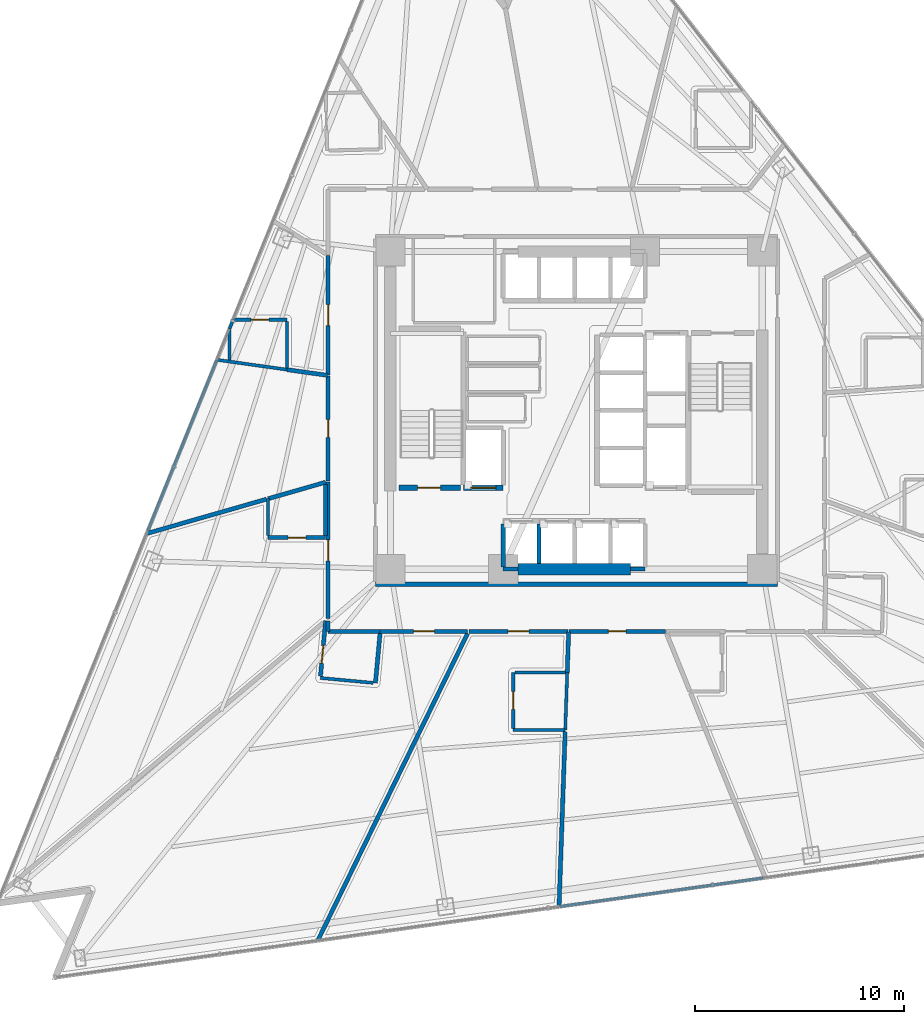
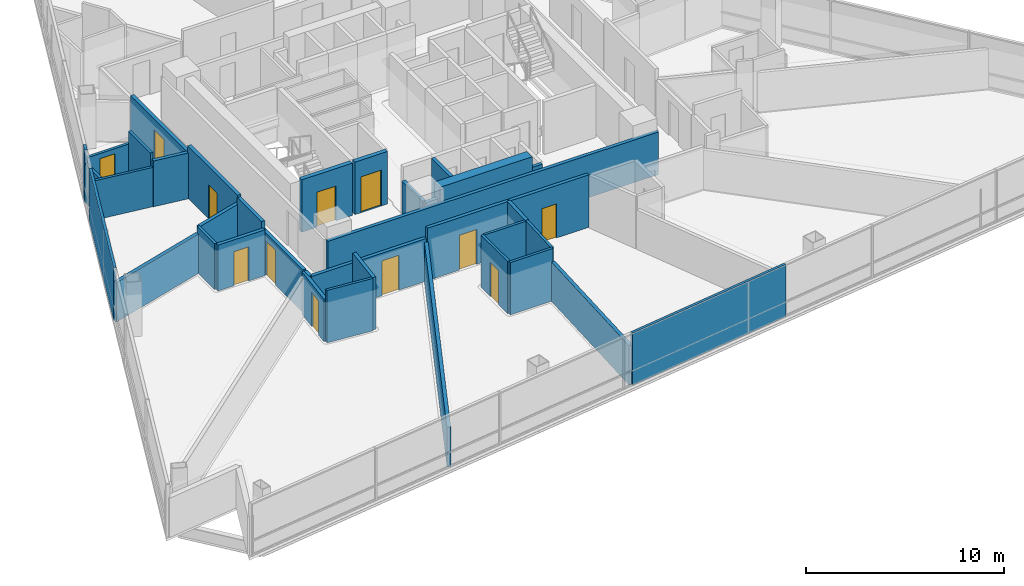
# One storey, part 7 of 15: 39 walls, 12 doors, 12 openings.
"""IFC4 building model written with IfcOpenShell, lengths in metres."""

from ifc_helpers import new_model, si_unit, direction, frame, frame_2d, origin, place, context, subcontext, project, spatial, rectangle, extrude, material, layer, layer_set, type_object, element, fill, save


model = new_model("IFC4")

# Units and contexts
model_context = context("Model", 3, precision=1e-05, world=origin(), true_north=direction((0.0, 1.0)))
body_context = subcontext(model_context, "Body", "Model", "MODEL_VIEW")
ifc_project = project(units=[si_unit("LENGTHUNIT", "METRE"), si_unit("AREAUNIT", "SQUARE_METRE"), si_unit("VOLUMEUNIT", "CUBIC_METRE"), si_unit("PLANEANGLEUNIT", "RADIAN"), si_unit("MASSUNIT", "GRAM", prefix="KILO")], contexts=[model_context])

# Site, building, storey
site_placement = place(None, origin())
site = spatial("IfcSite", under=ifc_project, at=site_placement, CompositionType="ELEMENT")
building_placement = place(site_placement, origin())
building = spatial("IfcBuilding", under=site, at=building_placement, Name="Tharavind Bronze Gate", CompositionType="ELEMENT")
storey_placement = place(building_placement, frame((0.0, 0.0, 60.449951171875)))
storey = spatial("IfcBuildingStorey", under=building, at=storey_placement, Name="L14", CompositionType="ELEMENT", Elevation=60.449951171875)

# Wall
ifc_material_1 = material(Name="Aerated Concrete Block", Category="concrete")
ifc_layer_1 = layer(ifc_material_1, 0.199951171875)
ifc_layer_set_1 = layer_set([ifc_layer_1], Name="Aerated Concrete Block")
wall_type_1 = type_object("IfcWallType", Name="FIRE RATED PARTITION 200", PredefinedType="PARTITIONING", material=ifc_layer_set_1)
wall_1_placement = place(storey_placement, frame((-9.6201171875, -8.320068359375, 0.0), z_axis=(0.0, 0.0, 1.0), x_axis=(1.0, 0.0, 0.0)))
element("IfcWall", 1, at=wall_1_placement, inside=storey, type_object=wall_type_1, Name="L14 south core corridor wall", PredefinedType="PARTITIONING", context=body_context, shape_type="SweptSolid", body=[
    extrude(rectangle(XDim=19.240234375, YDim=0.199951171875, at=frame_2d((9.6201171875, 0.0))), origin(), (0.0, 0.0, 1.0), 2.6201171875),
])

# Wall, opening, door
wall_2_placement = place(storey_placement, frame((-12.0, -6.0908203125, 0.0), z_axis=(0.0, 0.0, 1.0), x_axis=(-1.0, 0.0, 0.0)))
wall_2 = element("IfcWall", 2, at=wall_2_placement, inside=storey, type_object=wall_type_1, Name="L14 En-Suite Bathroom partition", PredefinedType="PARTITIONING", context=body_context, shape_type="SweptSolid", body=[
    extrude(rectangle(XDim=2.75, YDim=0.199951171875, at=frame_2d((1.375, 0.0))), origin(), (0.0, 0.0, 1.0), 2.820068359375),
])
opening_1_placement = place(wall_2_placement, frame((0.949951171875, 0.0, 0.0)))
opening_1 = element("IfcOpeningElement", 3, at=opening_1_placement, cuts=wall_2, Name="Opening ID06", PredefinedType="OPENING", context=body_context, shape_type="SweptSolid", body=[
    extrude(rectangle(XDim=0.85009765625, YDim=2.10009765625, at=frame_2d((0.425048828125, 1.050048828125))), frame((0.0, 0.11009765625, 0.0), z_axis=(0.0, -1.0, 0.0), x_axis=(1.0, 0.0, 0.0)), (0.0, 0.0, 1.0), 0.219951171875),
])
ifc_material_2 = material(Name="Moisture-Resistant Timber", Category="wood")
door_type_1 = type_object("IfcDoorType", Name="BATHROOM PRIVACY DOOR 850X2100", OperationType="SINGLE_SWING_RIGHT", PredefinedType="DOOR", material=ifc_material_2)
door_1_placement = place(opening_1_placement, origin())
door_1 = element("IfcDoor", 4, at=door_1_placement, inside=storey, type_object=door_type_1, Name="L14 En-Suite Bathroom door", OperationType="SINGLE_SWING_RIGHT", OverallHeight=2.10009765625, OverallWidth=0.85009765625, PredefinedType="DOOR", context=body_context, shape_type="SweptSolid", body=[
    extrude(rectangle(XDim=0.85009765625, YDim=2.10009765625, at=frame_2d((0.425048828125, 1.050048828125))), frame((0.0, 0.02490234375, 0.0), z_axis=(0.0, -1.0, 0.0), x_axis=(1.0, 0.0, 0.0)), (0.0, 0.0, 1.0), 0.050048828125),
])
fill(opening_1, door_1)

# Walls
wall_3_placement = place(storey_placement, frame((-14.75, -4.2294921875, 0.0), z_axis=(0.0, 0.0, 1.0), x_axis=(0.961259435334, 0.275645239358, 0.0)))
element("IfcWall", 5, at=wall_3_placement, inside=storey, type_object=wall_type_1, Name="L14 En-Suite Bathroom partition", PredefinedType="PARTITIONING", context=body_context, shape_type="SweptSolid", body=[
    extrude(rectangle(XDim=2.86083984375, YDim=0.199951171875, at=frame_2d((1.430419921875, 0.0))), origin(), (0.0, 0.0, 1.0), 2.820068359375),
])
wall_4_placement = place(storey_placement, frame((-12.0, -3.550048828125, 0.0), z_axis=(0.0, 0.0, 1.0), x_axis=(0.0, -1.0, 0.0)))
element("IfcWall", 6, at=wall_4_placement, inside=storey, type_object=wall_type_1, Name="L14 En-Suite Bathroom partition", PredefinedType="PARTITIONING", context=body_context, shape_type="SweptSolid", body=[
    extrude(rectangle(XDim=2.435791015625, YDim=0.199951171875, at=frame_2d((1.2177734375, 0.0))), origin(), (0.0, 0.0, 1.0), 3.22509765625),
])
wall_5_placement = place(storey_placement, frame((-11.8798828125, -10.080322265625, 0.0), z_axis=(0.0, 0.0, 1.0), x_axis=(0.0, -1.0, 0.0)))
element("IfcWall", 7, at=wall_5_placement, inside=storey, type_object=wall_type_1, Name="L14 En-Suite Bathroom partition", PredefinedType="PARTITIONING", context=body_context, shape_type="SweptSolid", body=[
    extrude(rectangle(XDim=0.4990234375, YDim=0.199951171875, at=frame_2d((0.24951171875, 0.0))), origin(), (0.0, 0.0, 1.0), 2.6201171875),
])
wall_6_placement = place(storey_placement, frame((-11.87939453125, -10.580078125, 0.0), z_axis=(0.0, 0.0, 1.0), x_axis=(1.0, 0.0, 0.0)))
element("IfcWall", 8, at=wall_6_placement, inside=storey, type_object=wall_type_1, Name="L14 En-Suite Bathroom partition", PredefinedType="PARTITIONING", context=body_context, shape_type="SweptSolid", body=[
    extrude(rectangle(XDim=2.493408203125, YDim=0.199951171875, at=frame_2d((1.24658203125, 0.0))), origin(), (0.0, 0.0, 1.0), 2.6201171875),
])
wall_7_placement = place(storey_placement, frame((-9.39599609375, -10.68505859375, 0.0), z_axis=(0.0, 0.0, 1.0), x_axis=(-0.092609165651, -0.995702537125, 0.0)))
element("IfcWall", 9, at=wall_7_placement, inside=storey, type_object=wall_type_1, Name="L14 En-Suite Bathroom partition", PredefinedType="PARTITIONING", context=body_context, shape_type="SweptSolid", body=[
    extrude(rectangle(XDim=2.3779296875, YDim=0.199951171875, at=frame_2d((1.18896484375, 0.0))), origin(), (0.0, 0.0, 1.0), 3.22509765625),
])

# Wall, opening, door
wall_8_placement = place(storey_placement, frame((-12.247314453125, -12.727783203125, 0.0), z_axis=(0.0, 0.0, 1.0), x_axis=(0.092621260831, 0.995701412092, 0.0)))
wall_8 = element("IfcWall", 10, at=wall_8_placement, inside=storey, type_object=wall_type_1, Name="L14 En-Suite Bathroom partition", PredefinedType="PARTITIONING", context=body_context, shape_type="SweptSolid", body=[
    extrude(rectangle(XDim=2.670166015625, YDim=0.199951171875, at=frame_2d((1.3349609375, 0.0))), origin(), (0.0, 0.0, 1.0), 2.6201171875),
])
opening_2_placement = place(wall_8_placement, frame((0.6298828125, 0.0, 0.0)))
opening_2 = element("IfcOpeningElement", 11, at=opening_2_placement, cuts=wall_8, Name="Opening ID06", PredefinedType="OPENING", context=body_context, shape_type="SweptSolid", body=[
    extrude(rectangle(XDim=0.85009765625, YDim=2.10009765625, at=frame_2d((0.425048828125, 1.050048828125))), frame((0.0, 0.11009765625, 0.0), z_axis=(0.0, -1.0, 0.0), x_axis=(1.0, 0.0, 0.0)), (0.0, 0.0, 1.0), 0.219951171875),
])
door_2_placement = place(opening_2_placement, origin())
door_2 = element("IfcDoor", 12, at=door_2_placement, inside=storey, type_object=door_type_1, Name="L14 En-Suite Bathroom door", OperationType="SINGLE_SWING_RIGHT", OverallHeight=2.10009765625, OverallWidth=0.85009765625, PredefinedType="DOOR", context=body_context, shape_type="SweptSolid", body=[
    extrude(rectangle(XDim=0.85009765625, YDim=2.10009765625, at=frame_2d((0.425048828125, 1.050048828125))), frame((0.0, 0.02490234375, 0.0), z_axis=(0.0, -1.0, 0.0), x_axis=(1.0, 0.0, 0.0)), (0.0, 0.0, 1.0), 0.050048828125),
])
fill(opening_2, door_2)

# Wall
wall_9_placement = place(storey_placement, frame((-13.85009765625, 1.946533203125, 0.0), z_axis=(0.0, 0.0, 1.0), x_axis=(0.990262192263, -0.139214907871, 0.0)))
element("IfcWall", 13, at=wall_9_placement, inside=storey, type_object=wall_type_1, Name="L14 Public Restrooms Block partition", PredefinedType="PARTITIONING", context=body_context, shape_type="SweptSolid", body=[
    extrude(rectangle(XDim=1.967529296875, YDim=0.199951171875, at=frame_2d((0.98388671875, 0.0))), origin(), (0.0, 0.0, 1.0), 2.820068359375),
])

# Wall, opening, door
wall_10_placement = place(storey_placement, frame((-11.8798828125, 1.64794921875, 0.0), z_axis=(0.0, 0.0, 1.0), x_axis=(0.0, -1.0, 0.0)))
wall_10 = element("IfcWall", 14, at=wall_10_placement, inside=storey, type_object=wall_type_1, Name="L14 Public Restrooms Block partition", PredefinedType="PARTITIONING", context=body_context, shape_type="SweptSolid", body=[
    extrude(rectangle(XDim=5.03564453125, YDim=0.199951171875, at=frame_2d((2.517822265625, 0.0))), origin(), (0.0, 0.0, 1.0), 3.22509765625),
])
opening_3_placement = place(wall_10_placement, frame((2.093017578125, 0.0, 0.0)))
opening_3 = element("IfcOpeningElement", 15, at=opening_3_placement, cuts=wall_10, Name="Opening ID06", PredefinedType="OPENING", context=body_context, shape_type="SweptSolid", body=[
    extrude(rectangle(XDim=0.85009765625, YDim=2.10009765625, at=frame_2d((0.425048828125, 1.050048828125))), frame((0.0, 0.11009765625, 0.0), z_axis=(0.0, -1.0, 0.0), x_axis=(1.0, 0.0, 0.0)), (0.0, 0.0, 1.0), 0.219951171875),
])
door_3_placement = place(opening_3_placement, origin())
door_3 = element("IfcDoor", 16, at=door_3_placement, inside=storey, type_object=door_type_1, Name="L14 Public Restrooms Block door", OperationType="SINGLE_SWING_RIGHT", OverallHeight=2.10009765625, OverallWidth=0.85009765625, PredefinedType="DOOR", context=body_context, shape_type="SweptSolid", body=[
    extrude(rectangle(XDim=0.85009765625, YDim=2.10009765625, at=frame_2d((0.425048828125, 1.050048828125))), frame((0.0, 0.02490234375, 0.0), z_axis=(0.0, -1.0, 0.0), x_axis=(1.0, 0.0, 0.0)), (0.0, 0.0, 1.0), 0.050048828125),
])
fill(opening_3, door_3)

# Walls
wall_11_placement = place(storey_placement, frame((-14.830078125, -4.25244140625, 0.0), z_axis=(0.0, 0.0, 1.0), x_axis=(-0.961263721078, -0.275630293216, 0.0)))
element("IfcWall", 17, at=wall_11_placement, inside=storey, type_object=wall_type_1, Name="L14 Public Restrooms Block partition", PredefinedType="PARTITIONING", context=body_context, shape_type="SweptSolid", body=[
    extrude(rectangle(XDim=5.95751953125, YDim=0.199951171875, at=frame_2d((2.978759765625, 0.0))), origin(), (0.0, 0.0, 1.0), 2.420166015625),
])
wall_12_placement = place(storey_placement, frame((-0.828369140625, -23.72021484375, 0.0), z_axis=(0.0, 0.0, 1.0), x_axis=(0.034900568233, 0.9993907896, 0.0)))
element("IfcWall", 18, at=wall_12_placement, inside=storey, type_object=wall_type_1, Name="L14 Public Restrooms Block partition", PredefinedType="PARTITIONING", context=body_context, shape_type="SweptSolid", body=[
    extrude(rectangle(XDim=8.345458984375, YDim=0.199951171875, at=frame_2d((4.1728515625, 0.0))), origin(), (0.0, 0.0, 1.0), 2.420166015625),
])
wall_13_placement = place(storey_placement, frame((-0.438232421875, -12.550048828125, 0.0), z_axis=(0.0, 0.0, 1.0), x_axis=(0.034855235143, 0.999392371685, 0.0)))
element("IfcWall", 19, at=wall_13_placement, inside=storey, type_object=wall_type_1, Name="L14 Public Restrooms Block partition", PredefinedType="PARTITIONING", context=body_context, shape_type="SweptSolid", body=[
    extrude(rectangle(XDim=1.947265625, YDim=0.199951171875, at=frame_2d((0.9736328125, 0.0))), origin(), (0.0, 0.0, 1.0), 3.22509765625),
])

# Wall, opening, door
wall_14_placement = place(storey_placement, frame((-0.34521484375, -10.580078125, 0.0), z_axis=(0.0, 0.0, 1.0), x_axis=(1.0, 0.0, 0.0)))
wall_14 = element("IfcWall", 20, at=wall_14_placement, inside=storey, type_object=wall_type_1, Name="L14 Public Restrooms Block partition", PredefinedType="PARTITIONING", context=body_context, shape_type="SweptSolid", body=[
    extrude(rectangle(XDim=4.60302734375, YDim=0.199951171875, at=frame_2d((2.301513671875, 0.0))), origin(), (0.0, 0.0, 1.0), 3.22509765625),
])
opening_4_placement = place(wall_14_placement, frame((1.8759765625, 0.0, 0.0)))
opening_4 = element("IfcOpeningElement", 21, at=opening_4_placement, cuts=wall_14, Name="Opening ID06", PredefinedType="OPENING", context=body_context, shape_type="SweptSolid", body=[
    extrude(rectangle(XDim=0.85009765625, YDim=2.10009765625, at=frame_2d((0.425048828125, 1.050048828125))), frame((0.0, 0.11009765625, 0.0), z_axis=(0.0, -1.0, 0.0), x_axis=(1.0, 0.0, 0.0)), (0.0, 0.0, 1.0), 0.219951171875),
])
door_4_placement = place(opening_4_placement, origin())
door_4 = element("IfcDoor", 22, at=door_4_placement, inside=storey, type_object=door_type_1, Name="L14 Public Restrooms Block door", OperationType="SINGLE_SWING_RIGHT", OverallHeight=2.10009765625, OverallWidth=0.85009765625, PredefinedType="DOOR", context=body_context, shape_type="SweptSolid", body=[
    extrude(rectangle(XDim=0.85009765625, YDim=2.10009765625, at=frame_2d((0.425048828125, 1.050048828125))), frame((0.0, 0.02490234375, 0.0), z_axis=(0.0, -1.0, 0.0), x_axis=(1.0, 0.0, 0.0)), (0.0, 0.0, 1.0), 0.050048828125),
])
fill(opening_4, door_4)

wall_15_placement = place(storey_placement, frame((-11.8798828125, 7.40966796875, 0.0), z_axis=(0.0, 0.0, 1.0), x_axis=(0.0, -1.0, 0.0)))
wall_15 = element("IfcWall", 23, at=wall_15_placement, inside=storey, type_object=wall_type_1, Name="L14 Hotel Deluxe Room partition", PredefinedType="PARTITIONING", context=body_context, shape_type="SweptSolid", body=[
    extrude(rectangle(XDim=5.711181640625, YDim=0.199951171875, at=frame_2d((2.85546875, 0.0))), origin(), (0.0, 0.0, 1.0), 2.820068359375),
])
opening_5_placement = place(wall_15_placement, frame((2.35595703125, 0.0, 0.0)))
opening_5 = element("IfcOpeningElement", 24, at=opening_5_placement, cuts=wall_15, Name="Opening ID03", PredefinedType="OPENING", context=body_context, shape_type="SweptSolid", body=[
    extrude(rectangle(XDim=1.0, YDim=2.14990234375, at=frame_2d((0.5, 1.074951171875))), frame((0.0, 0.11009765625, 0.0), z_axis=(0.0, -1.0, 0.0), x_axis=(1.0, 0.0, 0.0)), (0.0, 0.0, 1.0), 0.219951171875),
])
ifc_material_3 = material(Name="Solid Timber Veneer", Category="wood")
door_type_2 = type_object("IfcDoorType", Name="HOTEL SUITE ENTRANCE DOOR 1000X2150", OperationType="SINGLE_SWING_LEFT", PredefinedType="DOOR", material=ifc_material_3)
door_5_placement = place(opening_5_placement, origin())
door_5 = element("IfcDoor", 25, at=door_5_placement, inside=storey, type_object=door_type_2, Name="L14 Hotel Deluxe Room door", OperationType="SINGLE_SWING_LEFT", OverallHeight=2.14990234375, OverallWidth=1.0, PredefinedType="DOOR", context=body_context, shape_type="SweptSolid", body=[
    extrude(rectangle(XDim=1.0, YDim=2.14990234375, at=frame_2d((0.5, 1.074951171875))), frame((0.0, 0.02490234375, 0.0), z_axis=(0.0, -1.0, 0.0), x_axis=(1.0, 0.0, 0.0)), (0.0, 0.0, 1.0), 0.050048828125),
])
fill(opening_5, door_5)

wall_16_placement = place(storey_placement, frame((-11.8798828125, -3.439697265625, 0.0), z_axis=(0.0, 0.0, 1.0), x_axis=(0.0, -1.0, 0.0)))
wall_16 = element("IfcWall", 26, at=wall_16_placement, inside=storey, type_object=wall_type_1, Name="L14 Deluxe Hotel Suite partition", PredefinedType="PARTITIONING", context=body_context, shape_type="SweptSolid", body=[
    extrude(rectangle(XDim=6.51708984375, YDim=0.199951171875, at=frame_2d((3.258544921875, 0.0))), origin(), (0.0, 0.0, 1.0), 2.6201171875),
])
opening_6_placement = place(wall_16_placement, frame((2.759033203125, 0.0, 0.0)))
opening_6 = element("IfcOpeningElement", 27, at=opening_6_placement, cuts=wall_16, Name="Opening ID03", PredefinedType="OPENING", context=body_context, shape_type="SweptSolid", body=[
    extrude(rectangle(XDim=1.0, YDim=2.14990234375, at=frame_2d((0.5, 1.074951171875))), frame((0.0, 0.11009765625, 0.0), z_axis=(0.0, -1.0, 0.0), x_axis=(1.0, 0.0, 0.0)), (0.0, 0.0, 1.0), 0.219951171875),
])
door_6_placement = place(opening_6_placement, origin())
door_6 = element("IfcDoor", 28, at=door_6_placement, inside=storey, type_object=door_type_2, Name="L14 Deluxe Hotel Suite door", OperationType="SINGLE_SWING_LEFT", OverallHeight=2.14990234375, OverallWidth=1.0, PredefinedType="DOOR", context=body_context, shape_type="SweptSolid", body=[
    extrude(rectangle(XDim=1.0, YDim=2.14990234375, at=frame_2d((0.5, 1.074951171875))), frame((0.0, 0.02490234375, 0.0), z_axis=(0.0, -1.0, 0.0), x_axis=(1.0, 0.0, 0.0)), (0.0, 0.0, 1.0), 0.050048828125),
])
fill(opening_6, door_6)

wall_17_placement = place(storey_placement, frame((-9.385986328125, -10.580078125, 0.0), z_axis=(0.0, 0.0, 1.0), x_axis=(1.0, 0.0, 0.0)))
wall_17 = element("IfcWall", 29, at=wall_17_placement, inside=storey, type_object=wall_type_1, Name="L14 Deluxe Hotel Suite partition", PredefinedType="PARTITIONING", context=body_context, shape_type="SweptSolid", body=[
    extrude(rectangle(XDim=4.185791015625, YDim=0.199951171875, at=frame_2d((2.0927734375, 0.0))), origin(), (0.0, 0.0, 1.0), 2.6201171875),
])
opening_7_placement = place(wall_17_placement, frame((1.593017578125, 0.0, 0.0)))
opening_7 = element("IfcOpeningElement", 30, at=opening_7_placement, cuts=wall_17, Name="Opening ID03", PredefinedType="OPENING", context=body_context, shape_type="SweptSolid", body=[
    extrude(rectangle(XDim=1.0, YDim=2.14990234375, at=frame_2d((0.5, 1.074951171875))), frame((0.0, 0.11009765625, 0.0), z_axis=(0.0, -1.0, 0.0), x_axis=(1.0, 0.0, 0.0)), (0.0, 0.0, 1.0), 0.219951171875),
])
door_7_placement = place(opening_7_placement, origin())
door_7 = element("IfcDoor", 31, at=door_7_placement, inside=storey, type_object=door_type_2, Name="L14 Deluxe Hotel Suite door", OperationType="SINGLE_SWING_LEFT", OverallHeight=2.14990234375, OverallWidth=1.0, PredefinedType="DOOR", context=body_context, shape_type="SweptSolid", body=[
    extrude(rectangle(XDim=1.0, YDim=2.14990234375, at=frame_2d((0.5, 1.074951171875))), frame((0.0, 0.02490234375, 0.0), z_axis=(0.0, -1.0, 0.0), x_axis=(1.0, 0.0, 0.0)), (0.0, 0.0, 1.0), 0.050048828125),
])
fill(opening_7, door_7)

# Wall
wall_18_placement = place(storey_placement, frame((-5.21142578125, -10.68505859375, 0.0), z_axis=(0.0, 0.0, 1.0), x_axis=(-0.438370015827, -0.898794597905, 0.0)))
element("IfcWall", 32, at=wall_18_placement, inside=storey, type_object=wall_type_1, Name="L14 Deluxe Hotel Suite partition", PredefinedType="PARTITIONING", context=body_context, shape_type="SweptSolid", body=[
    extrude(rectangle(XDim=16.328125, YDim=0.199951171875, at=frame_2d((8.1640625, 0.0))), origin(), (0.0, 0.0, 1.0), 2.420166015625),
])

# Wall, opening, door
wall_19_placement = place(storey_placement, frame((-5.14453125, -10.580078125, 0.0), z_axis=(0.0, 0.0, 1.0), x_axis=(1.0, 0.0, 0.0)))
wall_19 = element("IfcWall", 33, at=wall_19_placement, inside=storey, type_object=wall_type_1, Name="L14 Deluxe Hotel Suite partition", PredefinedType="PARTITIONING", context=body_context, shape_type="SweptSolid", body=[
    extrude(rectangle(XDim=4.749267578125, YDim=0.199951171875, at=frame_2d((2.37451171875, 0.0))), origin(), (0.0, 0.0, 1.0), 3.22509765625),
])
opening_8_placement = place(wall_19_placement, frame((1.875, 0.0, 0.0)))
opening_8 = element("IfcOpeningElement", 34, at=opening_8_placement, cuts=wall_19, Name="Opening ID03", PredefinedType="OPENING", context=body_context, shape_type="SweptSolid", body=[
    extrude(rectangle(XDim=1.0, YDim=2.14990234375, at=frame_2d((0.5, 1.074951171875))), frame((0.0, 0.11009765625, 0.0), z_axis=(0.0, -1.0, 0.0), x_axis=(1.0, 0.0, 0.0)), (0.0, 0.0, 1.0), 0.219951171875),
])
door_8_placement = place(opening_8_placement, origin())
door_8 = element("IfcDoor", 35, at=door_8_placement, inside=storey, type_object=door_type_2, Name="L14 Deluxe Hotel Suite door", OperationType="SINGLE_SWING_LEFT", OverallHeight=2.14990234375, OverallWidth=1.0, PredefinedType="DOOR", context=body_context, shape_type="SweptSolid", body=[
    extrude(rectangle(XDim=1.0, YDim=2.14990234375, at=frame_2d((0.5, 1.074951171875))), frame((0.0, 0.02490234375, 0.0), z_axis=(0.0, -1.0, 0.0), x_axis=(1.0, 0.0, 0.0)), (0.0, 0.0, 1.0), 0.050048828125),
])
fill(opening_8, door_8)

# Walls
ifc_material_4 = material(Name="Twin Stud Acoustic Gypsum", Category="gypsum")
ifc_layer_2 = layer(ifc_material_4, 0.14990234375)
ifc_layer_set_2 = layer_set([ifc_layer_2], Name="Twin Stud Acoustic Gypsum")
wall_type_2 = type_object("IfcWallType", Name="INTERIOR PARTITION WALL 150", PredefinedType="PARTITIONING", material=ifc_layer_set_2)
wall_20_placement = place(storey_placement, frame((-13.85009765625, 1.946533203125, 0.0), z_axis=(0.0, 0.0, 1.0), x_axis=(-0.99026466636, 0.139197308016, 0.0)))
element("IfcWall", 36, at=wall_20_placement, inside=storey, type_object=wall_type_2, Name="L14 En-Suite Bathroom partition", PredefinedType="PARTITIONING", context=body_context, shape_type="SweptSolid", body=[
    extrude(rectangle(XDim=3.381591796875, YDim=0.14990234375, at=frame_2d((1.69091796875, 0.0))), origin(), (0.0, 0.0, 1.0), 2.420166015625),
])
wall_21_placement = place(storey_placement, frame((-16.60009765625, 2.413818359375, 0.0), z_axis=(0.0, 0.0, 1.0), x_axis=(0.0, 1.0, 0.0)))
element("IfcWall", 37, at=wall_21_placement, inside=storey, type_object=wall_type_2, Name="L14 En-Suite Bathroom partition", PredefinedType="PARTITIONING", context=body_context, shape_type="SweptSolid", body=[
    extrude(rectangle(XDim=1.4853515625, YDim=0.14990234375, at=frame_2d((0.74267578125, 0.0))), origin(), (0.0, 0.0, 1.0), 2.420166015625),
])
wall_22_placement = place(storey_placement, frame((-16.60009765625, 3.899169921875, 0.0), z_axis=(0.0, 0.0, 1.0), x_axis=(0.374779708699, 0.927113892652, 0.0)))
element("IfcWall", 38, at=wall_22_placement, inside=storey, type_object=wall_type_2, Name="L14 En-Suite Bathroom partition", PredefinedType="PARTITIONING", context=body_context, shape_type="SweptSolid", body=[
    extrude(rectangle(XDim=0.4716796875, YDim=0.14990234375, at=frame_2d((0.23583984375, 0.0))), origin(), (0.0, 0.0, 1.0), 3.22509765625),
])

# Wall, opening, door
wall_23_placement = place(storey_placement, frame((-16.42333984375, 4.33642578125, 0.0), z_axis=(0.0, 0.0, 1.0), x_axis=(1.0, 0.0, 0.0)))
wall_23 = element("IfcWall", 39, at=wall_23_placement, inside=storey, type_object=wall_type_2, Name="L14 En-Suite Bathroom partition", PredefinedType="PARTITIONING", context=body_context, shape_type="SweptSolid", body=[
    extrude(rectangle(XDim=2.5732421875, YDim=0.14990234375, at=frame_2d((1.28662109375, 0.0))), origin(), (0.0, 0.0, 1.0), 2.420166015625),
])
opening_9_placement = place(wall_23_placement, frame((0.862060546875, 0.0, 0.0)))
opening_9 = element("IfcOpeningElement", 40, at=opening_9_placement, cuts=wall_23, Name="Opening ID06", PredefinedType="OPENING", context=body_context, shape_type="SweptSolid", body=[
    extrude(rectangle(XDim=0.85009765625, YDim=2.10009765625, at=frame_2d((0.425048828125, 1.050048828125))), frame((0.0, 0.084951171875, 0.0), z_axis=(0.0, -1.0, 0.0), x_axis=(1.0, 0.0, 0.0)), (0.0, 0.0, 1.0), 0.16990234375),
])
door_9_placement = place(opening_9_placement, origin())
door_9 = element("IfcDoor", 41, at=door_9_placement, inside=storey, type_object=door_type_1, Name="L14 En-Suite Bathroom door", OperationType="SINGLE_SWING_RIGHT", OverallHeight=2.10009765625, OverallWidth=0.85009765625, PredefinedType="DOOR", context=body_context, shape_type="SweptSolid", body=[
    extrude(rectangle(XDim=0.85009765625, YDim=2.10009765625, at=frame_2d((0.425048828125, 1.050048828125))), frame((0.0, 0.02490234375, 0.0), z_axis=(0.0, -1.0, 0.0), x_axis=(1.0, 0.0, 0.0)), (0.0, 0.0, 1.0), 0.050048828125),
])
fill(opening_9, door_9)

# Walls
wall_24_placement = place(storey_placement, frame((-13.85009765625, 4.256591796875, 0.0), z_axis=(0.0, 0.0, 1.0), x_axis=(0.0, -1.0, 0.0)))
element("IfcWall", 42, at=wall_24_placement, inside=storey, type_object=wall_type_2, Name="L14 En-Suite Bathroom partition", PredefinedType="PARTITIONING", context=body_context, shape_type="SweptSolid", body=[
    extrude(rectangle(XDim=2.229248046875, YDim=0.14990234375, at=frame_2d((1.11474609375, 0.0))), origin(), (0.0, 0.0, 1.0), 3.22509765625),
])
wall_25_placement = place(storey_placement, frame((-14.75, -5.98583984375, 0.0), z_axis=(0.0, 0.0, 1.0), x_axis=(0.0, 1.0, 0.0)))
element("IfcWall", 43, at=wall_25_placement, inside=storey, type_object=wall_type_2, Name="L14 En-Suite Bathroom partition", PredefinedType="PARTITIONING", context=body_context, shape_type="SweptSolid", body=[
    extrude(rectangle(XDim=1.75634765625, YDim=0.14990234375, at=frame_2d((0.878173828125, 0.0))), origin(), (0.0, 0.0, 1.0), 2.820068359375),
])
wall_26_placement = place(storey_placement, frame((-9.720703125, -13.043212890625, 0.0), z_axis=(0.0, 0.0, 1.0), x_axis=(-0.995696688169, 0.092672030135, 0.0)))
element("IfcWall", 44, at=wall_26_placement, inside=storey, type_object=wall_type_2, Name="L14 En-Suite Bathroom partition", PredefinedType="PARTITIONING", context=body_context, shape_type="SweptSolid", body=[
    extrude(rectangle(XDim=2.544921875, YDim=0.14990234375, at=frame_2d((1.2724609375, 0.0))), origin(), (0.0, 0.0, 1.0), 3.22509765625),
])
wall_27_placement = place(storey_placement, frame((-0.438232421875, -12.550048828125, 0.0), z_axis=(0.0, 0.0, 1.0), x_axis=(-0.034868698287, -0.999391902048, 0.0)))
element("IfcWall", 45, at=wall_27_placement, inside=storey, type_object=wall_type_2, Name="L14 En-Suite Bathroom partition", PredefinedType="PARTITIONING", context=body_context, shape_type="SweptSolid", body=[
    extrude(rectangle(XDim=2.751708984375, YDim=0.14990234375, at=frame_2d((1.3759765625, 0.0))), origin(), (0.0, 0.0, 1.0), 3.22509765625),
])
wall_28_placement = place(storey_placement, frame((-0.5341796875, -15.300048828125, 0.0), z_axis=(0.0, 0.0, 1.0), x_axis=(-1.0, 0.0, 0.0)))
element("IfcWall", 46, at=wall_28_placement, inside=storey, type_object=wall_type_2, Name="L14 En-Suite Bathroom partition", PredefinedType="PARTITIONING", context=body_context, shape_type="SweptSolid", body=[
    extrude(rectangle(XDim=2.489501953125, YDim=0.14990234375, at=frame_2d((1.24462890625, 0.0))), origin(), (0.0, 0.0, 1.0), 3.22509765625),
])

# Wall, opening, door
wall_29_placement = place(storey_placement, frame((-3.023681640625, -15.219970703125, 0.0), z_axis=(0.0, 0.0, 1.0), x_axis=(0.0, 1.0, 0.0)))
wall_29 = element("IfcWall", 47, at=wall_29_placement, inside=storey, type_object=wall_type_2, Name="L14 En-Suite Bathroom partition", PredefinedType="PARTITIONING", context=body_context, shape_type="SweptSolid", body=[
    extrude(rectangle(XDim=2.669921875, YDim=0.14990234375, at=frame_2d((1.3349609375, 0.0))), origin(), (0.0, 0.0, 1.0), 3.22509765625),
])
opening_10_placement = place(wall_29_placement, frame((0.909912109375, 0.0, 0.0)))
opening_10 = element("IfcOpeningElement", 48, at=opening_10_placement, cuts=wall_29, Name="Opening ID06", PredefinedType="OPENING", context=body_context, shape_type="SweptSolid", body=[
    extrude(rectangle(XDim=0.85009765625, YDim=2.10009765625, at=frame_2d((0.425048828125, 1.050048828125))), frame((0.0, 0.084951171875, 0.0), z_axis=(0.0, -1.0, 0.0), x_axis=(1.0, 0.0, 0.0)), (0.0, 0.0, 1.0), 0.16990234375),
])
door_10_placement = place(opening_10_placement, origin())
door_10 = element("IfcDoor", 49, at=door_10_placement, inside=storey, type_object=door_type_1, Name="L14 En-Suite Bathroom door", OperationType="SINGLE_SWING_RIGHT", OverallHeight=2.10009765625, OverallWidth=0.85009765625, PredefinedType="DOOR", context=body_context, shape_type="SweptSolid", body=[
    extrude(rectangle(XDim=0.85009765625, YDim=2.10009765625, at=frame_2d((0.425048828125, 1.050048828125))), frame((0.0, 0.02490234375, 0.0), z_axis=(0.0, -1.0, 0.0), x_axis=(1.0, 0.0, 0.0)), (0.0, 0.0, 1.0), 0.050048828125),
])
fill(opening_10, door_10)

# Walls
wall_30_placement = place(storey_placement, frame((-2.943603515625, -12.550048828125, 0.0), z_axis=(0.0, 0.0, 1.0), x_axis=(1.0, 0.0, 0.0)))
element("IfcWall", 50, at=wall_30_placement, inside=storey, type_object=wall_type_2, Name="L14 En-Suite Bathroom partition", PredefinedType="PARTITIONING", context=body_context, shape_type="SweptSolid", body=[
    extrude(rectangle(XDim=2.42529296875, YDim=0.14990234375, at=frame_2d((1.212646484375, 0.0))), origin(), (0.0, 0.0, 1.0), 3.22509765625),
])
wall_31_placement = place(storey_placement, frame((-20.507080078125, -5.77099609375, 0.0), z_axis=(0.0, 0.0, 1.0), x_axis=(0.374622465586, 0.927177441636, 0.0)))
element("IfcWall", 51, at=wall_31_placement, inside=storey, type_object=wall_type_2, Name="L14 Public Restrooms Block partition", PredefinedType="PARTITIONING", context=body_context, shape_type="SweptSolid", body=[
    extrude(rectangle(XDim=8.8115234375, YDim=0.14990234375, at=frame_2d((4.40576171875, 0.0))), origin(), (0.0, 0.0, 1.0), 3.22509765625),
])
wall_32_placement = place(storey_placement, frame((8.92822265625, -22.37841796875, 0.0), z_axis=(0.0, 0.0, 1.0), x_axis=(-0.990268034831, -0.139173342244, 0.0)))
element("IfcWall", 52, at=wall_32_placement, inside=storey, type_object=wall_type_2, Name="L14 Public Restrooms Block partition", PredefinedType="PARTITIONING", context=body_context, shape_type="SweptSolid", body=[
    extrude(rectangle(XDim=9.82373046875, YDim=0.14990234375, at=frame_2d((4.911865234375, 0.0))), origin(), (0.0, 0.0, 1.0), 3.22509765625),
])

# Wall, opening, door
ifc_material_5 = material(Name="Concrete C50/60", Category="concrete")
ifc_layer_3 = layer(ifc_material_5, 0.25)
ifc_layer_set_3 = layer_set([ifc_layer_3], Name="Concrete C50/60")
wall_type_3 = type_object("IfcWallType", Name="RC CORE SHEAR WALL 250", PredefinedType="SHEAR", material=ifc_layer_set_3)
wall_33_placement = place(storey_placement, frame((-8.5, -3.699951171875, 0.0), z_axis=(0.0, 0.0, 1.0), x_axis=(1.0, 0.0, 0.0)))
wall_33 = element("IfcWall", 53, at=wall_33_placement, inside=storey, type_object=wall_type_3, Name="L14 ST1 shaft south wall", PredefinedType="SHEAR", context=body_context, shape_type="SweptSolid", body=[
    extrude(rectangle(XDim=2.949951171875, YDim=0.25, at=frame_2d((1.47509765625, 0.0))), origin(), (0.0, 0.0, 1.0), 3.22509765625),
])
opening_11_placement = place(wall_33_placement, frame((0.89990234375, 0.0, 0.0)))
opening_11 = element("IfcOpeningElement", 54, at=opening_11_placement, cuts=wall_33, Name="Opening ID01", PredefinedType="OPENING", context=body_context, shape_type="SweptSolid", body=[
    extrude(rectangle(XDim=1.10009765625, YDim=2.14990234375, at=frame_2d((0.550048828125, 1.074951171875))), frame((0.0, 0.135, 0.0), z_axis=(0.0, -1.0, 0.0), x_axis=(1.0, 0.0, 0.0)), (0.0, 0.0, 1.0), 0.27),
])
ifc_material_6 = material(Name="Fire-Rated Steel", Category="steel")
door_type_3 = type_object("IfcDoorType", Name="STAIR CORE FIRE DOOR 1100X2150", OperationType="SINGLE_SWING_LEFT", PredefinedType="DOOR", material=ifc_material_6)
door_11_placement = place(opening_11_placement, origin())
door_11 = element("IfcDoor", 55, at=door_11_placement, inside=storey, type_object=door_type_3, Name="L14 exit stair ST1 fire door", OperationType="SINGLE_SWING_LEFT", OverallHeight=2.14990234375, OverallWidth=1.10009765625, PredefinedType="DOOR", context=body_context, shape_type="SweptSolid", body=[
    extrude(rectangle(XDim=1.10009765625, YDim=2.14990234375, at=frame_2d((0.550048828125, 1.074951171875))), frame((0.0, 0.02490234375, 0.0), z_axis=(0.0, -1.0, 0.0), x_axis=(1.0, 0.0, 0.0)), (0.0, 0.0, 1.0), 0.050048828125),
])
fill(opening_11, door_11)

wall_34_placement = place(storey_placement, frame((-5.39990234375, -3.699951171875, 0.0), z_axis=(0.0, 0.0, 1.0), x_axis=(1.0, 0.0, 0.0)))
wall_34 = element("IfcWall", 56, at=wall_34_placement, inside=storey, type_object=wall_type_3, Name="L14 lift FFL1 shaft front wall", PredefinedType="SHEAR", context=body_context, shape_type="SweptSolid", body=[
    extrude(rectangle(XDim=1.89990234375, YDim=0.25, at=frame_2d((0.949951171875, 0.0))), origin(), (0.0, 0.0, 1.0), 3.22509765625),
])
opening_12_placement = place(wall_34_placement, frame((0.35009765625, 0.0, 0.0)))
opening_12 = element("IfcOpeningElement", 57, at=opening_12_placement, cuts=wall_34, Name="Opening LD02", PredefinedType="OPENING", context=body_context, shape_type="SweptSolid", body=[
    extrude(rectangle(XDim=1.199951171875, YDim=2.199951171875, at=frame_2d((0.60009765625, 1.10009765625))), frame((0.0, 0.135, 0.0), z_axis=(0.0, -1.0, 0.0), x_axis=(1.0, 0.0, 0.0)), (0.0, 0.0, 1.0), 0.27),
])
ifc_material_7 = material(Name="Brushed Stainless Steel", Category="steel")
door_type_4 = type_object("IfcDoorType", Name="FIREFIGHTING LIFT LANDING DOOR 1200X2200", OperationType="SLIDING_TO_RIGHT", PredefinedType="DOOR", material=ifc_material_7)
door_12_placement = place(opening_12_placement, origin())
door_12 = element("IfcDoor", 58, at=door_12_placement, inside=storey, type_object=door_type_4, Name="L14 lift FFL1 sliding landing door", OperationType="SLIDING_TO_RIGHT", OverallHeight=2.199951171875, OverallWidth=1.199951171875, PredefinedType="DOOR", context=body_context, shape_type="SweptSolid", body=[
    extrude(rectangle(XDim=1.199951171875, YDim=2.199951171875, at=frame_2d((0.60009765625, 1.10009765625))), frame((0.0, 0.02490234375, 0.0), z_axis=(0.0, -1.0, 0.0), x_axis=(1.0, 0.0, 0.0)), (0.0, 0.0, 1.0), 0.050048828125),
])
fill(opening_12, door_12)

# Walls
ifc_material_8 = material(Name="Concrete C60/75", Category="concrete")
ifc_layer_4 = layer(ifc_material_8, 0.550048828125)
ifc_layer_set_4 = layer_set([ifc_layer_4], Name="Concrete C60/75")
wall_type_4 = type_object("IfcWallType", Name="RC CORE SHEAR WALL 550", PredefinedType="SHEAR", material=ifc_layer_set_4)
wall_35_placement = place(storey_placement, frame((-2.800048828125, -7.60009765625, 0.0), z_axis=(0.0, 0.0, 1.0), x_axis=(1.0, 0.0, 0.0)))
element("IfcWall", 59, at=wall_35_placement, inside=storey, type_object=wall_type_4, Name="L14 south core shear wall", PredefinedType="SHEAR", context=body_context, shape_type="SweptSolid", body=[
    extrude(rectangle(XDim=5.380126953125, YDim=0.550048828125, at=frame_2d((2.68994140625, 0.0))), origin(), (0.0, 0.0, 1.0), 3.22509765625),
])
ifc_material_9 = material(Name="Concrete C40/50", Category="concrete")
ifc_layer_5 = layer(ifc_material_9, 0.199951171875)
ifc_layer_set_5 = layer_set([ifc_layer_5], Name="Concrete C40/50")
wall_type_5 = type_object("IfcWallType", Name="SHAFT ENCLOSURE WALL 200", PredefinedType="PARTITIONING", material=ifc_layer_set_5)
wall_36_placement = place(storey_placement, frame((-3.5, -7.60009765625, 0.0), z_axis=(0.0, 0.0, 1.0), x_axis=(1.0, 0.0, 0.0)))
element("IfcWall", 60, at=wall_36_placement, inside=storey, type_object=wall_type_5, Name="L14 lift PL1 shaft S enclosure wall", PredefinedType="PARTITIONING", context=body_context, shape_type="SweptSolid", body=[
    extrude(rectangle(XDim=0.699951171875, YDim=0.199951171875, at=frame_2d((0.35009765625, 0.0))), origin(), (0.0, 0.0, 1.0), 2.420166015625),
])
wall_37_placement = place(storey_placement, frame((-3.5, -7.4951171875, 0.0), z_axis=(0.0, 0.0, 1.0), x_axis=(0.0, 1.0, 0.0)))
element("IfcWall", 61, at=wall_37_placement, inside=storey, type_object=wall_type_5, Name="L14 lift PL1 shaft W enclosure wall", PredefinedType="PARTITIONING", context=body_context, shape_type="SweptSolid", body=[
    extrude(rectangle(XDim=2.065185546875, YDim=0.199951171875, at=frame_2d((1.03271484375, 0.0))), origin(), (0.0, 0.0, 1.0), 2.420166015625),
])
wall_38_placement = place(storey_placement, frame((-1.78759765625, -7.320068359375, 0.0), z_axis=(0.0, 0.0, 1.0), x_axis=(0.0, 1.0, 0.0)))
element("IfcWall", 62, at=wall_38_placement, inside=storey, type_object=wall_type_5, Name="L14 lift PL1 shaft E enclosure wall", PredefinedType="PARTITIONING", context=body_context, shape_type="SweptSolid", body=[
    extrude(rectangle(XDim=1.89013671875, YDim=0.199951171875, at=frame_2d((0.945068359375, 0.0))), origin(), (0.0, 0.0, 1.0), 3.22509765625),
])
wall_39_placement = place(storey_placement, frame((2.580078125, -7.60009765625, 0.0), z_axis=(0.0, 0.0, 1.0), x_axis=(1.0, 0.0, 0.0)))
element("IfcWall", 63, at=wall_39_placement, inside=storey, type_object=wall_type_5, Name="L14 lift PL4 shaft S enclosure wall", PredefinedType="PARTITIONING", context=body_context, shape_type="SweptSolid", body=[
    extrude(rectangle(XDim=0.699951171875, YDim=0.199951171875, at=frame_2d((0.35009765625, 0.0))), origin(), (0.0, 0.0, 1.0), 2.420166015625),
])

save(model, "model.ifc")
